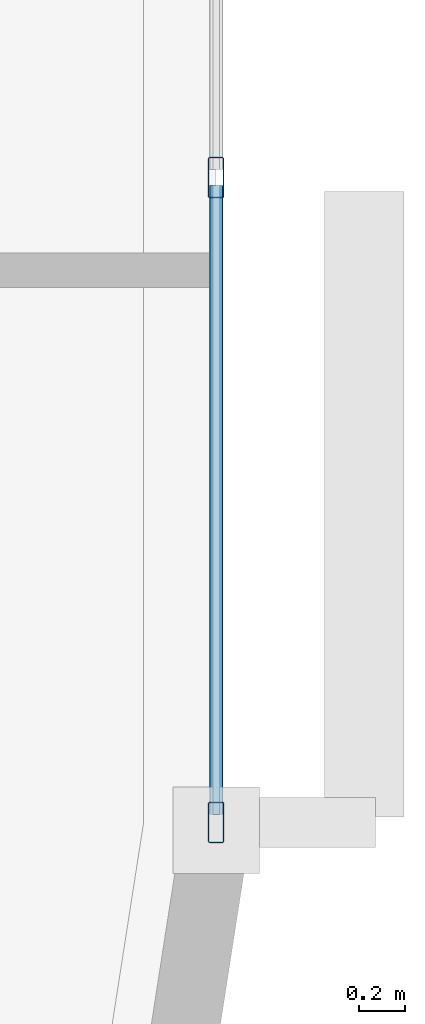
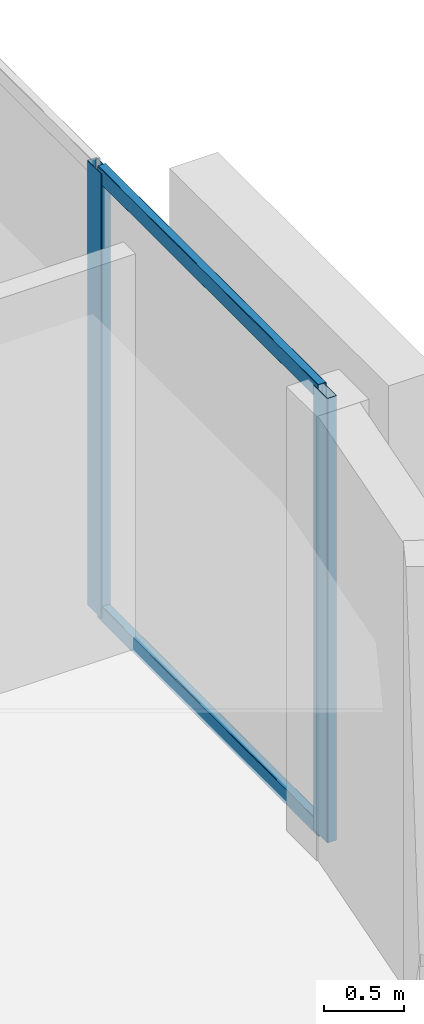
# One storey, part 4 of 15: 4 members, 1 element without a shape of its own.
"""IFC4 building model written with IfcOpenShell, lengths in metres."""

from ifc_helpers import new_model, si_unit, direction, frame, origin, origin_2d, place, context, subcontext, project, spatial, hollow_rectangle, extrude, material, layer, layer_set, material_profile, profile_set, type_object, element, aggregate, save


model = new_model("IFC4")

# Units and contexts
model_context = context("Model", 3, precision=1e-05, world=origin(), true_north=direction((0.0, 1.0)))
body_context = subcontext(model_context, "Body", "Model", "MODEL_VIEW")
ifc_project = project(units=[si_unit("LENGTHUNIT", "METRE"), si_unit("AREAUNIT", "SQUARE_METRE"), si_unit("VOLUMEUNIT", "CUBIC_METRE"), si_unit("PLANEANGLEUNIT", "RADIAN"), si_unit("MASSUNIT", "GRAM", prefix="KILO")], contexts=[model_context])

# Site, building, storey
site_placement = place(None, origin())
site = spatial("IfcSite", under=ifc_project, at=site_placement, CompositionType="ELEMENT")
building_placement = place(site_placement, origin())
building = spatial("IfcBuilding", under=site, at=building_placement, Name="An Khanh Terracotta Commons", CompositionType="ELEMENT")
storey_placement = place(building_placement, frame((0.0, 0.0, 122.300048828125)))
storey = spatial("IfcBuildingStorey", under=building, at=storey_placement, Name="L32", CompositionType="ELEMENT", Elevation=122.300048828125)

# Curtain wall, members
ifc_material = material(Name="Anodised Aluminium 6063-T6", Category="aluminium")
ifc_layer = layer(ifc_material, 0.199951171875, Name="Anodised Aluminium 6063-T6")
ifc_layer_set = layer_set([ifc_layer], Name="Anodised Aluminium 6063-T6")
curtain_wall_type = type_object("IfcCurtainWallType", Name="CW-SYS-02", PredefinedType="USERDEFINED", material=ifc_layer_set)
curtain_wall_placement = place(storey_placement, origin())
curtain_wall = element("IfcCurtainWall", 1, at=curtain_wall_placement, inside=storey, type_object=curtain_wall_type, Name="L32 CW-02 Unitised Curtain Wall CW-L32-12", ObjectType="UNITISED CURTAIN WALL", PredefinedType="USERDEFINED")
ifc_material_profile_1 = material_profile(ifc_material, hollow_rectangle(XDim=0.070068359375, YDim=0.179931640625, WallThickness=0.00390625, InnerFilletRadius=0.00390625, OuterFilletRadius=0.008056640625, at=origin_2d()), Name="RHS180x70x4")
ifc_profile_set_1 = profile_set([ifc_material_profile_1], Name="Anodised Aluminium 6063-T6")
member_type_1 = type_object("IfcMemberType", Name="CWM-RHS180x70x4", PredefinedType="MULLION", material=ifc_profile_set_1)
member_1_placement = place(storey_placement, frame((57.39990234375, 15.43505859375, 0.0), z_axis=(0.0, 0.0, 1.0), x_axis=(-1.0, 0.0, 0.0)))
member_1 = element("IfcMember", 2, at=member_1_placement, type_object=member_type_1, Name="CW-02 mullion 1", PredefinedType="MULLION", context=body_context, shape_type="SweptSolid", body=[
    extrude(hollow_rectangle(XDim=0.070068359375, YDim=0.179931640625, WallThickness=0.00390625, InnerFilletRadius=0.00390625, OuterFilletRadius=0.008056640625, at=origin_2d()), origin(), (0.0, 0.0, 1.0), 3.39990234375),
])
member_2_placement = place(storey_placement, frame((57.39990234375, 18.2666015625, 0.0), z_axis=(0.0, 0.0, 1.0), x_axis=(-1.0, 0.0, 0.0)))
member_2 = element("IfcMember", 3, at=member_2_placement, type_object=member_type_1, Name="CW-02 mullion 2", PredefinedType="MULLION", context=body_context, shape_type="SweptSolid", body=[
    extrude(hollow_rectangle(XDim=0.070068359375, YDim=0.179931640625, WallThickness=0.00390625, InnerFilletRadius=0.00390625, OuterFilletRadius=0.008056640625, at=origin_2d()), origin(), (0.0, 0.0, 1.0), 3.39990234375),
])
ifc_material_profile_2 = material_profile(ifc_material, hollow_rectangle(XDim=0.06005859375, YDim=0.1201171875, WallThickness=0.003662109375, InnerFilletRadius=0.003662109375, OuterFilletRadius=0.007080078125, at=origin_2d()), Name="RHS120x60x3.6")
ifc_profile_set_2 = profile_set([ifc_material_profile_2], Name="Anodised Aluminium 6063-T6")
member_type_2 = type_object("IfcMemberType", Name="CWT-RHS120x60x3.6", PredefinedType="USERDEFINED", material=ifc_profile_set_2)
member_3_placement = place(storey_placement, frame((57.39990234375, 15.469970703125, 0.030029296875), z_axis=(0.0, 1.0, 0.0), x_axis=(-1.0, 0.0, 0.0)))
member_3 = element("IfcMember", 4, at=member_3_placement, type_object=member_type_2, Name="CW-02 transom 1.1", ObjectType="TRANSOM", PredefinedType="USERDEFINED", context=body_context, shape_type="SweptSolid", body=[
    extrude(hollow_rectangle(XDim=0.06005859375, YDim=0.1201171875, WallThickness=0.003662109375, InnerFilletRadius=0.003662109375, OuterFilletRadius=0.007080078125, at=origin_2d()), origin(), (0.0, 0.0, 1.0), 2.76171875),
])
member_4_placement = place(storey_placement, frame((57.39990234375, 15.469970703125, 3.369873046875), z_axis=(0.0, 1.0, 0.0), x_axis=(-1.0, 0.0, 0.0)))
member_4 = element("IfcMember", 5, at=member_4_placement, type_object=member_type_2, Name="CW-02 transom 1.2", ObjectType="TRANSOM", PredefinedType="USERDEFINED", context=body_context, shape_type="SweptSolid", body=[
    extrude(hollow_rectangle(XDim=0.06005859375, YDim=0.1201171875, WallThickness=0.003662109375, InnerFilletRadius=0.003662109375, OuterFilletRadius=0.007080078125, at=origin_2d()), origin(), (0.0, 0.0, 1.0), 2.76171875),
])
aggregate(curtain_wall, [member_1, member_2, member_3, member_4])

save(model, "model.ifc")
